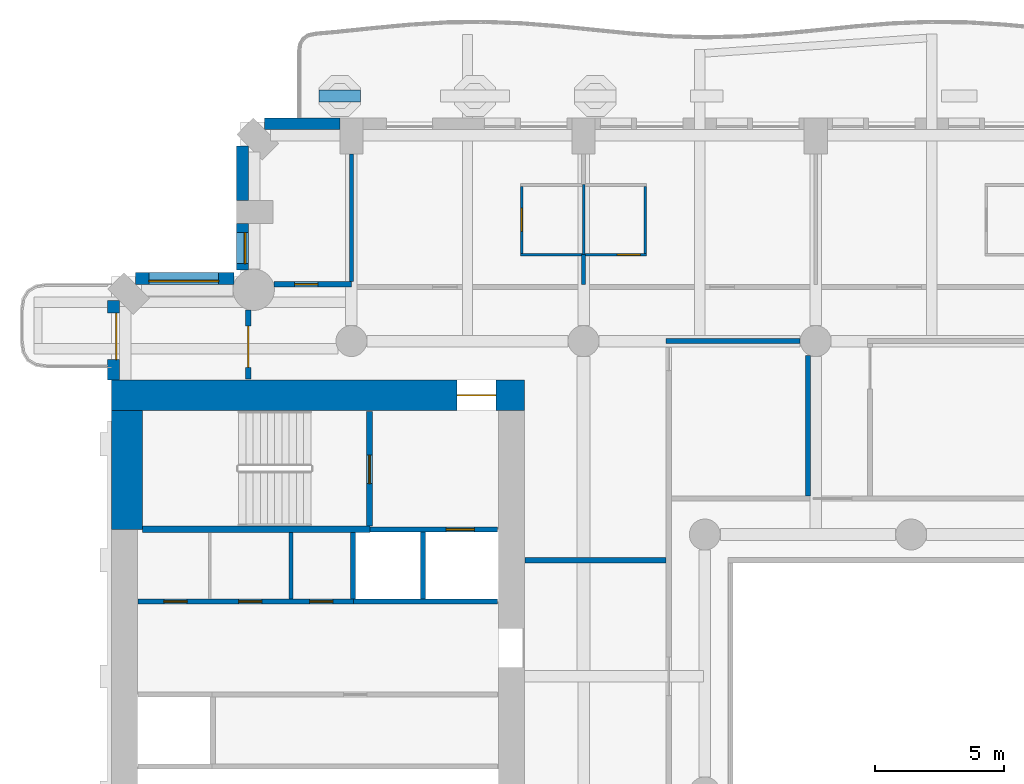
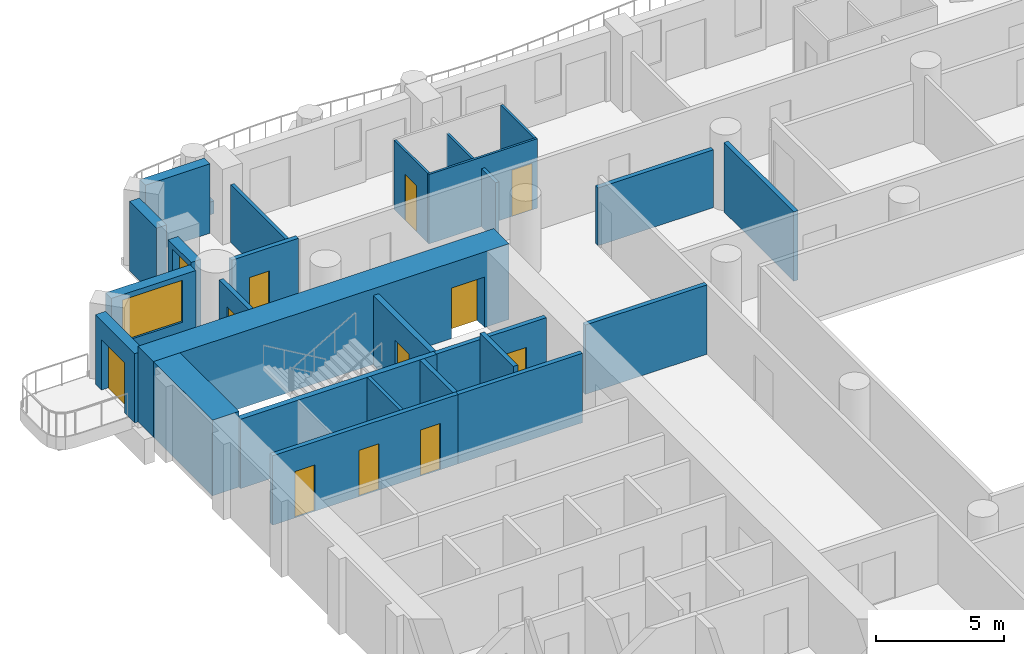
# One storey, part 7 of 19: 27 walls, 11 doors, 2 windows, 13 openings.
"""IFC4 building model written with IfcOpenShell, lengths in metres."""

from ifc_helpers import new_model, si_unit, direction, frame, frame_2d, origin, place, context, subcontext, project, spatial, rectangle, extrude, material, layer, layer_set, type_object, element, fill, save


model = new_model("IFC4")

# Units and contexts
model_context = context("Model", 3, precision=1e-05, world=origin(), true_north=direction((0.0, 1.0)))
body_context = subcontext(model_context, "Body", "Model", "MODEL_VIEW")
ifc_project = project(units=[si_unit("LENGTHUNIT", "METRE"), si_unit("AREAUNIT", "SQUARE_METRE"), si_unit("VOLUMEUNIT", "CUBIC_METRE"), si_unit("PLANEANGLEUNIT", "RADIAN"), si_unit("MASSUNIT", "GRAM", prefix="KILO")], contexts=[model_context])

# Site, building, storey
site_placement = place(None, origin())
site = spatial("IfcSite", under=ifc_project, at=site_placement, CompositionType="ELEMENT")
building_placement = place(site_placement, origin())
building = spatial("IfcBuilding", under=site, at=building_placement, Name="Cypress Arch Tower", CompositionType="ELEMENT")
storey_placement = place(building_placement, frame((0.0, 0.0, 66.300048828125)))
storey = spatial("IfcBuildingStorey", under=building, at=storey_placement, Name="L10", CompositionType="ELEMENT", Elevation=66.300048828125)

# Wall
ifc_material_1 = material(Name="Concrete C40/50, waterproofed", Category="concrete")
ifc_layer_1 = layer(ifc_material_1, 0.449951171875)
ifc_layer_set_1 = layer_set([ifc_layer_1], Name="Balcony planter wall PW450")
wall_type_1 = type_object("IfcWallType", Name="Balcony planter wall PW450", PredefinedType="SOLIDWALL", material=ifc_layer_set_1)
wall_1_placement = place(storey_placement, frame((-20.35009765625, 27.0, 0.0), z_axis=(0.0, 0.0, 1.0), x_axis=(-1.0, 0.0, 0.0)))
element("IfcWall", 1, at=wall_1_placement, inside=storey, type_object=wall_type_1, Name="Balcony planter wall L10-A08.6", PredefinedType="SOLIDWALL", context=body_context, shape_type="SweptSolid", body=[
    extrude(rectangle(XDim=1.599853515625, YDim=0.449951171875, at=frame_2d((0.7998046875, 0.0))), origin(), (0.0, 0.0, 1.0), 0.599853515625),
])

# Wall, opening, door
ifc_material_2 = material(Name="Brick (red buff blend)", Category="masonry")
ifc_layer_2 = layer(ifc_material_2, 0.449951171875)
ifc_layer_set_2 = layer_set([ifc_layer_2], Name="Brick pier and spandrel wall BW450")
wall_type_2 = type_object("IfcWallType", Name="Brick pier and spandrel wall BW450", PredefinedType="SOLIDWALL", material=ifc_layer_set_2)
wall_2_placement = place(storey_placement, frame((-29.925048828125, 19.063720703125, 0.0), z_axis=(0.0, 0.0, 1.0), x_axis=(0.0, -1.0, 0.0)))
wall_2 = element("IfcWall", 2, at=wall_2_placement, inside=storey, type_object=wall_type_2, Name="Brick wall L10 A00.0", PredefinedType="SOLIDWALL", context=body_context, shape_type="SweptSolid", body=[
    extrude(rectangle(XDim=3.063720703125, YDim=0.449951171875, at=frame_2d((1.53173828125, 0.0))), origin(), (0.0, 0.0, 1.0), 3.300048828125),
])
opening_1_placement = place(wall_2_placement, frame((0.481689453125, 0.0, 0.0)))
opening_1 = element("IfcOpeningElement", 3, at=opening_1_placement, cuts=wall_2, Name="Opening D-L10-A00.0.1", PredefinedType="OPENING", context=body_context, shape_type="SweptSolid", body=[
    extrude(rectangle(XDim=1.800048828125, YDim=2.39990234375, at=frame_2d((0.89990234375, 1.199951171875))), frame((0.0, 0.23486328125, 0.0), z_axis=(0.0, -1.0, 0.0), x_axis=(1.0, 0.0, 0.0)), (0.0, 0.0, 1.0), 0.469970703125),
])
ifc_material_3 = material(Name="Anodised aluminium, bronze finish, laminated low-emissivity double glazing, large-missile impact rated", Category="aluminium")
door_type_1 = type_object("IfcDoorType", Name="Balcony sliding door 1800x2400", OperationType="SLIDING_TO_LEFT", PredefinedType="DOOR", material=ifc_material_3)
door_1_placement = place(opening_1_placement, origin())
door_1 = element("IfcDoor", 4, at=door_1_placement, inside=storey, type_object=door_type_1, Name="Balcony door L10 A00.0.1", OperationType="SLIDING_TO_LEFT", OverallHeight=2.39990234375, OverallWidth=1.800048828125, PredefinedType="DOOR", context=body_context, shape_type="SweptSolid", body=[
    extrude(rectangle(XDim=1.800048828125, YDim=2.39990234375, at=frame_2d((0.89990234375, 1.199951171875))), frame((0.0, 0.1298828125, 0.0), z_axis=(0.0, -1.0, 0.0), x_axis=(1.0, 0.0, 0.0)), (0.0, 0.0, 1.0), 0.050048828125),
])
fill(opening_1, door_1)

# Walls
wall_3_placement = place(storey_placement, frame((-21.14990234375, 25.925048828125, 0.0), z_axis=(0.0, 0.0, 1.0), x_axis=(-1.0, 0.0, 0.0)))
element("IfcWall", 5, at=wall_3_placement, inside=storey, type_object=wall_type_2, Name="Brick wall L10 A08.4", PredefinedType="SOLIDWALL", context=body_context, shape_type="SweptSolid", body=[
    extrude(rectangle(XDim=2.913818359375, YDim=0.449951171875, at=frame_2d((1.45703125, 0.0))), origin(), (0.0, 0.0, 1.0), 3.300048828125),
])
wall_4_placement = place(storey_placement, frame((-24.925048828125, 25.063720703125, 0.0), z_axis=(0.0, 0.0, 1.0), x_axis=(0.0, -1.0, 0.0)))
element("IfcWall", 6, at=wall_4_placement, inside=storey, type_object=wall_type_2, Name="Brick wall L10 A09.0", PredefinedType="SOLIDWALL", context=body_context, shape_type="SweptSolid", body=[
    extrude(rectangle(XDim=2.11376953125, YDim=0.449951171875, at=frame_2d((1.056884765625, 0.0))), origin(), (0.0, 0.0, 1.0), 3.300048828125),
])

# Wall, opening, window
wall_5_placement = place(storey_placement, frame((-24.925048828125, 22.050048828125, 0.0), z_axis=(0.0, 0.0, 1.0), x_axis=(0.0, -1.0, 0.0)))
wall_5 = element("IfcWall", 7, at=wall_5_placement, inside=storey, type_object=wall_type_2, Name="Brick wall L10 A09.1", PredefinedType="SOLIDWALL", context=body_context, shape_type="SweptSolid", body=[
    extrude(rectangle(XDim=1.79150390625, YDim=0.449951171875, at=frame_2d((0.895751953125, 0.0))), origin(), (0.0, 0.0, 1.0), 3.300048828125),
])
opening_2_placement = place(wall_5_placement, frame((0.35009765625, 0.0, 1.050048828125)))
opening_2 = element("IfcOpeningElement", 8, at=opening_2_placement, cuts=wall_5, Name="Opening W120H", PredefinedType="OPENING", context=body_context, shape_type="SweptSolid", body=[
    extrude(rectangle(XDim=1.199951171875, YDim=2.0, at=frame_2d((0.60009765625, 1.0))), frame((0.0, 0.23486328125, 0.0), z_axis=(0.0, -1.0, 0.0), x_axis=(1.0, 0.0, 0.0)), (0.0, 0.0, 1.0), 0.469970703125),
])
ifc_material_4 = material(Name="Anodised aluminium, bronze finish, clear low-emissivity double glazing", Category="aluminium")
window_type_1 = type_object("IfcWindowType", Name="Window Hotel 1200x2000", PartitioningType="SINGLE_PANEL", PredefinedType="WINDOW", material=ifc_material_4)
window_1_placement = place(opening_2_placement, origin())
window_1 = element("IfcWindow", 9, at=window_1_placement, inside=storey, type_object=window_type_1, Name="Window L10 A09.1.1", OverallHeight=2.0, OverallWidth=1.199951171875, PartitioningType="SINGLE_PANEL", PredefinedType="WINDOW", context=body_context, shape_type="SweptSolid", body=[
    extrude(rectangle(XDim=1.199951171875, YDim=2.0, at=frame_2d((0.60009765625, 1.0))), frame((0.0, 0.135009765625, 0.0), z_axis=(0.0, -1.0, 0.0), x_axis=(1.0, 0.0, 0.0)), (0.0, 0.0, 1.0), 0.06005859375),
])
fill(opening_2, window_1)

wall_6_placement = place(storey_placement, frame((-25.258544921875, 19.925048828125, 0.0), z_axis=(0.0, 0.0, 1.0), x_axis=(-1.0, 0.0, 0.0)))
wall_6 = element("IfcWall", 10, at=wall_6_placement, inside=storey, type_object=wall_type_2, Name="Brick wall L10 A10.0", PredefinedType="SOLIDWALL", context=body_context, shape_type="SweptSolid", body=[
    extrude(rectangle(XDim=3.80517578125, YDim=0.449951171875, at=frame_2d((1.902587890625, 0.0))), origin(), (0.0, 0.0, 1.0), 3.300048828125),
])
opening_3_placement = place(wall_6_placement, frame((0.591552734375, 0.0, 1.050048828125)))
opening_3 = element("IfcOpeningElement", 11, at=opening_3_placement, cuts=wall_6, Name="Opening W270H", PredefinedType="OPENING", context=body_context, shape_type="SweptSolid", body=[
    extrude(rectangle(XDim=2.699951171875, YDim=2.0, at=frame_2d((1.35009765625, 1.0))), frame((0.0, 0.23486328125, 0.0), z_axis=(0.0, -1.0, 0.0), x_axis=(1.0, 0.0, 0.0)), (0.0, 0.0, 1.0), 0.469970703125),
])
ifc_material_5 = material(Name="Anodised aluminium, bronze finish, clear low-emissivity double glazing", Category="aluminium")
window_type_2 = type_object("IfcWindowType", Name="Window Hotel 2700x2000", PartitioningType="SINGLE_PANEL", PredefinedType="WINDOW", material=ifc_material_5)
window_2_placement = place(opening_3_placement, origin())
window_2 = element("IfcWindow", 12, at=window_2_placement, inside=storey, type_object=window_type_2, Name="Window L10 A10.0.1", OverallHeight=2.0, OverallWidth=2.699951171875, PartitioningType="SINGLE_PANEL", PredefinedType="WINDOW", context=body_context, shape_type="SweptSolid", body=[
    extrude(rectangle(XDim=2.699951171875, YDim=2.0, at=frame_2d((1.35009765625, 1.0))), frame((0.0, 0.135009765625, 0.0), z_axis=(0.0, -1.0, 0.0), x_axis=(1.0, 0.0, 0.0)), (0.0, 0.0, 1.0), 0.06005859375),
])
fill(opening_3, window_2)

# Wall, opening, door
ifc_material_6 = material(Name="Concrete C80/95", Category="concrete")
ifc_layer_3 = layer(ifc_material_6, 1.199951171875)
ifc_layer_set_3 = layer_set([ifc_layer_3], Name="Core wall CW1200 C80/95")
wall_type_3 = type_object("IfcWallType", Name="Core wall CW1200 C80/95", PredefinedType="SHEAR", material=ifc_layer_set_3)
wall_7_placement = place(storey_placement, frame((-30.0, 15.39990234375, 0.0), z_axis=(0.0, 0.0, 1.0), x_axis=(1.0, 0.0, 0.0)))
wall_7 = element("IfcWall", 13, at=wall_7_placement, inside=storey, type_object=wall_type_3, Name="Core wall", PredefinedType="SHEAR", context=body_context, shape_type="SweptSolid", body=[
    extrude(rectangle(XDim=16.0, YDim=1.199951171875, at=frame_2d((8.0, 0.0))), origin(), (0.0, 0.0, 1.0), 3.599853515625),
])
opening_4_placement = place(wall_7_placement, frame((13.39990234375, 0.0, 0.0)))
opening_4 = element("IfcOpeningElement", 14, at=opening_4_placement, cuts=wall_7, Name="Opening D07", PredefinedType="OPENING", context=body_context, shape_type="SweptSolid", body=[
    extrude(rectangle(XDim=1.5, YDim=2.39990234375, at=frame_2d((0.75, 1.199951171875))), frame((0.0, 0.60986328125, 0.0), z_axis=(0.0, -1.0, 0.0), x_axis=(1.0, 0.0, 0.0)), (0.0, 0.0, 1.0), 1.219970703125),
])
ifc_material_7 = material(Name="Steel framed glazed door, fire resisting", Category="steel")
door_type_2 = type_object("IfcDoorType", Name="Lobby door D07 1500x2400", OperationType="DOUBLE_DOOR_SINGLE_SWING", PredefinedType="DOOR", material=ifc_material_7)
door_2_placement = place(opening_4_placement, origin())
door_2 = element("IfcDoor", 15, at=door_2_placement, inside=storey, type_object=door_type_2, Name="Lobby door", OperationType="DOUBLE_DOOR_SINGLE_SWING", OverallHeight=2.39990234375, OverallWidth=1.5, PredefinedType="DOOR", context=body_context, shape_type="SweptSolid", body=[
    extrude(rectangle(XDim=1.5, YDim=2.39990234375, at=frame_2d((0.75, 1.199951171875))), frame((0.0, 0.02490234375, 0.0), z_axis=(0.0, -1.0, 0.0), x_axis=(1.0, 0.0, 0.0)), (0.0, 0.0, 1.0), 0.050048828125),
])
fill(opening_4, door_2)

# Wall
wall_8_placement = place(storey_placement, frame((-29.39990234375, 10.199951171875, 0.0), z_axis=(0.0, 0.0, 1.0), x_axis=(0.0, 1.0, 0.0)))
element("IfcWall", 16, at=wall_8_placement, inside=storey, type_object=wall_type_3, Name="Core wall", PredefinedType="SHEAR", context=body_context, shape_type="SweptSolid", body=[
    extrude(rectangle(XDim=4.60009765625, YDim=1.199951171875, at=frame_2d((2.300048828125, 0.0))), origin(), (0.0, 0.0, 1.0), 3.599853515625),
])

# Wall, openings, doors
ifc_material_8 = material(Name="Concrete blockwork, plastered, rated", Category="masonry")
ifc_layer_4 = layer(ifc_material_8, 0.199951171875)
ifc_layer_set_4 = layer_set([ifc_layer_4], Name="Corridor wall FW200")
wall_type_4 = type_object("IfcWallType", Name="Corridor wall FW200", PredefinedType="PARTITIONING", material=ifc_layer_set_4)
wall_9_placement = place(storey_placement, frame((-28.969970703125, 7.39990234375, 0.0), z_axis=(0.0, 0.0, 1.0), x_axis=(1.0, 0.0, 0.0)))
wall_9 = element("IfcWall", 17, at=wall_9_placement, inside=storey, type_object=wall_type_4, Name="Corridor wall", PredefinedType="PARTITIONING", context=body_context, shape_type="SweptSolid", body=[
    extrude(rectangle(XDim=8.349853515625, YDim=0.199951171875, at=frame_2d((4.1748046875, 0.0))), origin(), (0.0, 0.0, 1.0), 3.300048828125),
])
opening_5_placement = place(wall_9_placement, frame((1.0, 0.0, 0.0)))
opening_5 = element("IfcOpeningElement", 18, at=opening_5_placement, cuts=wall_9, Name="Opening D05", PredefinedType="OPENING", context=body_context, shape_type="SweptSolid", body=[
    extrude(rectangle(XDim=0.89990234375, YDim=2.199951171875, at=frame_2d((0.449951171875, 1.10009765625))), frame((0.0, 0.10986328125, 0.0), z_axis=(0.0, -1.0, 0.0), x_axis=(1.0, 0.0, 0.0)), (0.0, 0.0, 1.0), 0.219970703125),
])
opening_6_placement = place(wall_9_placement, frame((3.89990234375, 0.0, 0.0)))
opening_6 = element("IfcOpeningElement", 19, at=opening_6_placement, cuts=wall_9, Name="Opening D05", PredefinedType="OPENING", context=body_context, shape_type="SweptSolid", body=[
    extrude(rectangle(XDim=0.89990234375, YDim=2.199951171875, at=frame_2d((0.449951171875, 1.10009765625))), frame((0.0, 0.10986328125, 0.0), z_axis=(0.0, -1.0, 0.0), x_axis=(1.0, 0.0, 0.0)), (0.0, 0.0, 1.0), 0.219970703125),
])
opening_7_placement = place(wall_9_placement, frame((6.64990234375, 0.0, 0.0)))
opening_7 = element("IfcOpeningElement", 20, at=opening_7_placement, cuts=wall_9, Name="Opening D05", PredefinedType="OPENING", context=body_context, shape_type="SweptSolid", body=[
    extrude(rectangle(XDim=0.89990234375, YDim=2.199951171875, at=frame_2d((0.449951171875, 1.10009765625))), frame((0.0, 0.10986328125, 0.0), z_axis=(0.0, -1.0, 0.0), x_axis=(1.0, 0.0, 0.0)), (0.0, 0.0, 1.0), 0.219970703125),
])
ifc_material_9 = material(Name="Timber flush door", Category="wood")
door_type_3 = type_object("IfcDoorType", Name="Service door D05 900x2200", OperationType="SINGLE_SWING_LEFT", PredefinedType="DOOR", material=ifc_material_9)
door_3_placement = place(opening_5_placement, origin())
door_3 = element("IfcDoor", 21, at=door_3_placement, inside=storey, type_object=door_type_3, Name="Service door", OperationType="SINGLE_SWING_RIGHT", OverallHeight=2.199951171875, OverallWidth=0.89990234375, PredefinedType="DOOR", context=body_context, shape_type="SweptSolid", body=[
    extrude(rectangle(XDim=0.89990234375, YDim=2.199951171875, at=frame_2d((0.449951171875, 1.10009765625))), frame((0.0, 0.02490234375, 0.0), z_axis=(0.0, -1.0, 0.0), x_axis=(1.0, 0.0, 0.0)), (0.0, 0.0, 1.0), 0.050048828125),
])
fill(opening_5, door_3)
door_4_placement = place(opening_6_placement, origin())
door_4 = element("IfcDoor", 22, at=door_4_placement, inside=storey, type_object=door_type_3, Name="Service door", OperationType="SINGLE_SWING_RIGHT", OverallHeight=2.199951171875, OverallWidth=0.89990234375, PredefinedType="DOOR", context=body_context, shape_type="SweptSolid", body=[
    extrude(rectangle(XDim=0.89990234375, YDim=2.199951171875, at=frame_2d((0.449951171875, 1.10009765625))), frame((0.0, 0.02490234375, 0.0), z_axis=(0.0, -1.0, 0.0), x_axis=(1.0, 0.0, 0.0)), (0.0, 0.0, 1.0), 0.050048828125),
])
fill(opening_6, door_4)
door_5_placement = place(opening_7_placement, origin())
door_5 = element("IfcDoor", 23, at=door_5_placement, inside=storey, type_object=door_type_3, Name="Service door", OperationType="SINGLE_SWING_LEFT", OverallHeight=2.199951171875, OverallWidth=0.89990234375, PredefinedType="DOOR", context=body_context, shape_type="SweptSolid", body=[
    extrude(rectangle(XDim=0.89990234375, YDim=2.199951171875, at=frame_2d((0.449951171875, 1.10009765625))), frame((0.0, 0.02490234375, 0.0), z_axis=(0.0, -1.0, 0.0), x_axis=(1.0, 0.0, 0.0)), (0.0, 0.0, 1.0), 0.050048828125),
])
fill(opening_7, door_5)

# Wall, opening, door
wall_10_placement = place(storey_placement, frame((-24.699951171875, 16.030029296875, 0.0), z_axis=(0.0, 0.0, 1.0), x_axis=(0.0, 1.0, 0.0)))
wall_10 = element("IfcWall", 24, at=wall_10_placement, inside=storey, type_object=wall_type_4, Name="Corridor wall", PredefinedType="PARTITIONING", context=body_context, shape_type="SweptSolid", body=[
    extrude(rectangle(XDim=2.670166015625, YDim=0.199951171875, at=frame_2d((1.3349609375, 0.0))), origin(), (0.0, 0.0, 1.0), 3.300048828125),
])
opening_8_placement = place(wall_10_placement, frame((0.449951171875, 0.0, 0.0)))
opening_8 = element("IfcOpeningElement", 25, at=opening_8_placement, cuts=wall_10, Name="Opening D10", PredefinedType="OPENING", context=body_context, shape_type="SweptSolid", body=[
    extrude(rectangle(XDim=1.60009765625, YDim=2.39990234375, at=frame_2d((0.800048828125, 1.199951171875))), frame((0.0, 0.10986328125, 0.0), z_axis=(0.0, -1.0, 0.0), x_axis=(1.0, 0.0, 0.0)), (0.0, 0.0, 1.0), 0.219970703125),
])
ifc_material_10 = material(Name="Black aluminium glazed door", Category="aluminium")
door_type_4 = type_object("IfcDoorType", Name="Amenity door D10 1600x2400", OperationType="DOUBLE_DOOR_SINGLE_SWING", PredefinedType="DOOR", material=ifc_material_10)
door_6_placement = place(opening_8_placement, origin())
door_6 = element("IfcDoor", 26, at=door_6_placement, inside=storey, type_object=door_type_4, Name="Amenity door", OperationType="DOUBLE_DOOR_SINGLE_SWING", OverallHeight=2.39990234375, OverallWidth=1.60009765625, PredefinedType="DOOR", context=body_context, shape_type="SweptSolid", body=[
    extrude(rectangle(XDim=1.60009765625, YDim=2.39990234375, at=frame_2d((0.800048828125, 1.199951171875))), frame((0.0, 0.02490234375, 0.0), z_axis=(0.0, -1.0, 0.0), x_axis=(1.0, 0.0, 0.0)), (0.0, 0.0, 1.0), 0.050048828125),
])
fill(opening_8, door_6)

wall_11_placement = place(storey_placement, frame((-23.7001953125, 19.699951171875, 0.0), z_axis=(0.0, 0.0, 1.0), x_axis=(1.0, 0.0, 0.0)))
wall_11 = element("IfcWall", 27, at=wall_11_placement, inside=storey, type_object=wall_type_4, Name="Corridor wall", PredefinedType="PARTITIONING", context=body_context, shape_type="SweptSolid", body=[
    extrude(rectangle(XDim=3.000244140625, YDim=0.199951171875, at=frame_2d((1.5, 0.0))), origin(), (0.0, 0.0, 1.0), 3.300048828125),
])
opening_9_placement = place(wall_11_placement, frame((0.800048828125, 0.0, 0.0)))
opening_9 = element("IfcOpeningElement", 28, at=opening_9_placement, cuts=wall_11, Name="Opening D05", PredefinedType="OPENING", context=body_context, shape_type="SweptSolid", body=[
    extrude(rectangle(XDim=0.89990234375, YDim=2.199951171875, at=frame_2d((0.449951171875, 1.10009765625))), frame((0.0, 0.10986328125, 0.0), z_axis=(0.0, -1.0, 0.0), x_axis=(1.0, 0.0, 0.0)), (0.0, 0.0, 1.0), 0.219970703125),
])
door_7_placement = place(opening_9_placement, origin())
door_7 = element("IfcDoor", 29, at=door_7_placement, inside=storey, type_object=door_type_3, Name="Service door", OperationType="SINGLE_SWING_LEFT", OverallHeight=2.199951171875, OverallWidth=0.89990234375, PredefinedType="DOOR", context=body_context, shape_type="SweptSolid", body=[
    extrude(rectangle(XDim=0.89990234375, YDim=2.199951171875, at=frame_2d((0.449951171875, 1.10009765625))), frame((0.0, 0.02490234375, 0.0), z_axis=(0.0, -1.0, 0.0), x_axis=(1.0, 0.0, 0.0)), (0.0, 0.0, 1.0), 0.050048828125),
])
fill(opening_9, door_7)

# Walls
wall_12_placement = place(storey_placement, frame((-13.969970703125, 9.0, 0.0), z_axis=(0.0, 0.0, 1.0), x_axis=(1.0, 0.0, 0.0)))
element("IfcWall", 30, at=wall_12_placement, inside=storey, type_object=wall_type_4, Name="Corridor wall", PredefinedType="PARTITIONING", context=body_context, shape_type="SweptSolid", body=[
    extrude(rectangle(XDim=5.469970703125, YDim=0.199951171875, at=frame_2d((2.73486328125, 0.0))), origin(), (0.0, 0.0, 1.0), 3.300048828125),
])
wall_13_placement = place(storey_placement, frame((-8.5, 17.5, 0.0), z_axis=(0.0, 0.0, 1.0), x_axis=(1.0, 0.0, 0.0)))
element("IfcWall", 31, at=wall_13_placement, inside=storey, type_object=wall_type_4, Name="Corridor wall", PredefinedType="PARTITIONING", context=body_context, shape_type="SweptSolid", body=[
    extrude(rectangle(XDim=5.199951171875, YDim=0.199951171875, at=frame_2d((2.60009765625, 0.0))), origin(), (0.0, 0.0, 1.0), 2.75),
])
wall_14_placement = place(storey_placement, frame((-3.0, 11.5, 0.0), z_axis=(0.0, 0.0, 1.0), x_axis=(0.0, 1.0, 0.0)))
element("IfcWall", 32, at=wall_14_placement, inside=storey, type_object=wall_type_4, Name="Corridor wall", PredefinedType="PARTITIONING", context=body_context, shape_type="SweptSolid", body=[
    extrude(rectangle(XDim=5.443359375, YDim=0.199951171875, at=frame_2d((2.7216796875, 0.0))), origin(), (0.0, 0.0, 1.0), 3.300048828125),
])
ifc_material_11 = material(Name="Blockwork, plastered both sides", Category="masonry")
ifc_layer_5 = layer(ifc_material_11, 0.14990234375)
ifc_layer_set_5 = layer_set([ifc_layer_5], Name="Partition PW150")
wall_type_5 = type_object("IfcWallType", Name="Partition PW150", PredefinedType="PARTITIONING", material=ifc_layer_set_5)
wall_15_placement = place(storey_placement, frame((-23.0400390625, 7.5, 0.0), z_axis=(0.0, 0.0, 1.0), x_axis=(0.0, 1.0, 0.0)))
element("IfcWall", 33, at=wall_15_placement, inside=storey, type_object=wall_type_5, Name="Partition", PredefinedType="PARTITIONING", context=body_context, shape_type="SweptSolid", body=[
    extrude(rectangle(XDim=2.574951171875, YDim=0.14990234375, at=frame_2d((1.28759765625, 0.0))), origin(), (0.0, 0.0, 1.0), 3.300048828125),
])
wall_16_placement = place(storey_placement, frame((-20.699951171875, 19.800048828125, 0.0), z_axis=(0.0, 0.0, 1.0), x_axis=(0.0, 1.0, 0.0)))
element("IfcWall", 34, at=wall_16_placement, inside=storey, type_object=wall_type_5, Name="Partition", PredefinedType="PARTITIONING", context=body_context, shape_type="SweptSolid", body=[
    extrude(rectangle(XDim=4.949951171875, YDim=0.14990234375, at=frame_2d((2.47509765625, 0.0))), origin(), (0.0, 0.0, 1.0), 2.75),
])
wall_17_placement = place(storey_placement, frame((-11.699951171875, 19.699951171875, 0.0), z_axis=(0.0, 0.0, 1.0), x_axis=(0.0, 1.0, 0.0)))
element("IfcWall", 35, at=wall_17_placement, inside=storey, type_object=wall_type_5, Name="Partition", PredefinedType="PARTITIONING", context=body_context, shape_type="SweptSolid", body=[
    extrude(rectangle(XDim=1.150146484375, YDim=0.14990234375, at=frame_2d((0.5751953125, 0.0))), origin(), (0.0, 0.0, 1.0), 2.75),
])
ifc_material_12 = material(Name="Concrete C50/60", Category="concrete")
ifc_layer_6 = layer(ifc_material_12, 0.199951171875)
ifc_layer_set_6 = layer_set([ifc_layer_6], Name="Shaft wall SH200")
wall_type_6 = type_object("IfcWallType", Name="Shaft wall SH200", PredefinedType="SHEAR", material=ifc_layer_set_6)
wall_18_placement = place(storey_placement, frame((-20.639892578125, 7.5, 0.0), z_axis=(0.0, 0.0, 1.0), x_axis=(0.0, 1.0, 0.0)))
element("IfcWall", 36, at=wall_18_placement, inside=storey, type_object=wall_type_6, Name="Shaft wall", PredefinedType="SHEAR", context=body_context, shape_type="SweptSolid", body=[
    extrude(rectangle(XDim=2.574951171875, YDim=0.199951171875, at=frame_2d((1.28759765625, 0.0))), origin(), (0.0, 0.0, 1.0), 3.300048828125),
])
wall_19_placement = place(storey_placement, frame((-20.6201171875, 7.39990234375, 0.0), z_axis=(0.0, 0.0, 1.0), x_axis=(1.0, 0.0, 0.0)))
element("IfcWall", 37, at=wall_19_placement, inside=storey, type_object=wall_type_6, Name="Shaft wall", PredefinedType="SHEAR", context=body_context, shape_type="SweptSolid", body=[
    extrude(rectangle(XDim=5.590087890625, YDim=0.199951171875, at=frame_2d((2.794921875, 0.0))), origin(), (0.0, 0.0, 1.0), 3.300048828125),
])

# Wall, opening, door
wall_20_placement = place(storey_placement, frame((-19.97998046875, 10.199951171875, 0.0), z_axis=(0.0, 0.0, 1.0), x_axis=(1.0, 0.0, 0.0)))
wall_20 = element("IfcWall", 38, at=wall_20_placement, inside=storey, type_object=wall_type_6, Name="Shaft wall", PredefinedType="SHEAR", context=body_context, shape_type="SweptSolid", body=[
    extrude(rectangle(XDim=4.949951171875, YDim=0.199951171875, at=frame_2d((2.47509765625, 0.0))), origin(), (0.0, 0.0, 1.0), 3.300048828125),
])
opening_10_placement = place(wall_20_placement, frame((2.949951171875, 0.0, 0.0)))
opening_10 = element("IfcOpeningElement", 39, at=opening_10_placement, cuts=wall_20, Name="Opening LD-FL2", PredefinedType="OPENING", context=body_context, shape_type="SweptSolid", body=[
    extrude(rectangle(XDim=1.10009765625, YDim=2.199951171875, at=frame_2d((0.550048828125, 1.10009765625))), frame((0.0, 0.10986328125, 0.0), z_axis=(0.0, -1.0, 0.0), x_axis=(1.0, 0.0, 0.0)), (0.0, 0.0, 1.0), 0.219970703125),
])
ifc_material_13 = material(Name="Stainless steel centre-opening landing door, rated", Category="steel")
door_type_5 = type_object("IfcDoorType", Name="Lift landing door LD 1100x2200", OperationType="DOUBLE_DOOR_SLIDING", PredefinedType="DOOR", material=ifc_material_13)
door_8_placement = place(opening_10_placement, origin())
door_8 = element("IfcDoor", 40, at=door_8_placement, inside=storey, type_object=door_type_5, Name="Lift landing doors FL2", OperationType="DOUBLE_DOOR_SLIDING", OverallHeight=2.199951171875, OverallWidth=1.10009765625, PredefinedType="DOOR", context=body_context, shape_type="SweptSolid", body=[
    extrude(rectangle(XDim=1.10009765625, YDim=2.199951171875, at=frame_2d((0.550048828125, 1.10009765625))), frame((0.0, 0.02490234375, 0.0), z_axis=(0.0, -1.0, 0.0), x_axis=(1.0, 0.0, 0.0)), (0.0, 0.0, 1.0), 0.050048828125),
])
fill(opening_10, door_8)

# Walls
wall_21_placement = place(storey_placement, frame((-17.919921875, 7.5, 0.0), z_axis=(0.0, 0.0, 1.0), x_axis=(0.0, 1.0, 0.0)))
element("IfcWall", 41, at=wall_21_placement, inside=storey, type_object=wall_type_6, Name="Shaft wall", PredefinedType="SHEAR", context=body_context, shape_type="SweptSolid", body=[
    extrude(rectangle(XDim=2.60009765625, YDim=0.199951171875, at=frame_2d((1.300048828125, 0.0))), origin(), (0.0, 0.0, 1.0), 3.599853515625),
])
ifc_material_14 = material(Name="Concrete C50/60", Category="concrete")
ifc_layer_7 = layer(ifc_material_14, 0.25)
ifc_layer_set_7 = layer_set([ifc_layer_7], Name="Stair enclosure wall SW250")
wall_type_7 = type_object("IfcWallType", Name="Stair enclosure wall SW250", PredefinedType="SHEAR", material=ifc_layer_set_7)
wall_22_placement = place(storey_placement, frame((-28.81005859375, 10.199951171875, 0.0), z_axis=(0.0, 0.0, 1.0), x_axis=(1.0, 0.0, 0.0)))
element("IfcWall", 42, at=wall_22_placement, inside=storey, type_object=wall_type_7, Name="Stair enclosure wall", PredefinedType="SHEAR", context=body_context, shape_type="SweptSolid", body=[
    extrude(rectangle(XDim=8.830078125, YDim=0.25, at=frame_2d((4.4150390625, 0.0))), origin(), (0.0, 0.0, 1.0), 3.300048828125),
])

# Wall, opening, door
wall_23_placement = place(storey_placement, frame((-20.0, 10.324951171875, 0.0), z_axis=(0.0, 0.0, 1.0), x_axis=(0.0, 1.0, 0.0)))
wall_23 = element("IfcWall", 43, at=wall_23_placement, inside=storey, type_object=wall_type_7, Name="Stair enclosure wall", PredefinedType="SHEAR", context=body_context, shape_type="SweptSolid", body=[
    extrude(rectangle(XDim=4.445068359375, YDim=0.25, at=frame_2d((2.22265625, 0.0))), origin(), (0.0, 0.0, 1.0), 3.300048828125),
])
opening_11_placement = place(wall_23_placement, frame((1.64990234375, 0.0, 0.0)))
opening_11 = element("IfcOpeningElement", 44, at=opening_11_placement, cuts=wall_23, Name="Opening D06", PredefinedType="OPENING", context=body_context, shape_type="SweptSolid", body=[
    extrude(rectangle(XDim=1.10009765625, YDim=2.199951171875, at=frame_2d((0.550048828125, 1.10009765625))), frame((0.0, 0.135009765625, 0.0), z_axis=(0.0, -1.0, 0.0), x_axis=(1.0, 0.0, 0.0)), (0.0, 0.0, 1.0), 0.27001953125),
])
ifc_material_15 = material(Name="Steel door, fire resisting, panic bar", Category="steel")
door_type_6 = type_object("IfcDoorType", Name="Stair door D06 1100x2200", OperationType="SINGLE_SWING_LEFT", PredefinedType="DOOR", material=ifc_material_15)
door_9_placement = place(opening_11_placement, origin())
door_9 = element("IfcDoor", 45, at=door_9_placement, inside=storey, type_object=door_type_6, Name="Stair door", OperationType="SINGLE_SWING_LEFT", OverallHeight=2.199951171875, OverallWidth=1.10009765625, PredefinedType="DOOR", context=body_context, shape_type="SweptSolid", body=[
    extrude(rectangle(XDim=1.10009765625, YDim=2.199951171875, at=frame_2d((0.550048828125, 1.10009765625))), frame((0.0, 0.02490234375, 0.0), z_axis=(0.0, -1.0, 0.0), x_axis=(1.0, 0.0, 0.0)), (0.0, 0.0, 1.0), 0.050048828125),
])
fill(opening_11, door_9)

ifc_material_16 = material(Name="Moisture resistant board on steel studs, tiled", Category="steel")
ifc_layer_8 = layer(ifc_material_16, 0.10009765625)
ifc_layer_set_8 = layer_set([ifc_layer_8], Name="Wet wall PW100")
wall_type_8 = type_object("IfcWallType", Name="Wet wall PW100", PredefinedType="PARTITIONING", material=ifc_layer_set_8)
wall_24_placement = place(storey_placement, frame((-14.095947265625, 20.89990234375, 0.0), z_axis=(0.0, 0.0, 1.0), x_axis=(0.0, 1.0, 0.0)))
wall_24 = element("IfcWall", 46, at=wall_24_placement, inside=storey, type_object=wall_type_8, Name="Wet wall", PredefinedType="PARTITIONING", context=body_context, shape_type="SweptSolid", body=[
    extrude(rectangle(XDim=2.60009765625, YDim=0.10009765625, at=frame_2d((1.300048828125, 0.0))), origin(), (0.0, 0.0, 1.0), 3.300048828125),
])
opening_12_placement = place(wall_24_placement, frame((0.85009765625, 0.0, 0.0)))
opening_12 = element("IfcOpeningElement", 47, at=opening_12_placement, cuts=wall_24, Name="Opening D03", PredefinedType="OPENING", context=body_context, shape_type="SweptSolid", body=[
    extrude(rectangle(XDim=0.89990234375, YDim=2.199951171875, at=frame_2d((0.449951171875, 1.10009765625))), frame((0.0, 0.06005859375, 0.0), z_axis=(0.0, -1.0, 0.0), x_axis=(1.0, 0.0, 0.0)), (0.0, 0.0, 1.0), 0.1201171875),
])
ifc_material_17 = material(Name="Timber flush door, moisture resistant", Category="wood")
door_type_7 = type_object("IfcDoorType", Name="Bathroom door D03 900x2200", OperationType="SINGLE_SWING_LEFT", PredefinedType="DOOR", material=ifc_material_17)
door_10_placement = place(opening_12_placement, origin())
door_10 = element("IfcDoor", 48, at=door_10_placement, inside=storey, type_object=door_type_7, Name="Bathroom door", OperationType="SINGLE_SWING_RIGHT", OverallHeight=2.199951171875, OverallWidth=0.89990234375, PredefinedType="DOOR", context=body_context, shape_type="SweptSolid", body=[
    extrude(rectangle(XDim=0.89990234375, YDim=2.199951171875, at=frame_2d((0.449951171875, 1.10009765625))), frame((0.0, 0.02490234375, 0.0), z_axis=(0.0, -1.0, 0.0), x_axis=(1.0, 0.0, 0.0)), (0.0, 0.0, 1.0), 0.050048828125),
])
fill(opening_12, door_10)

wall_25_placement = place(storey_placement, frame((-14.14599609375, 20.85009765625, 0.0), z_axis=(0.0, 0.0, 1.0), x_axis=(1.0, 0.0, 0.0)))
wall_25 = element("IfcWall", 49, at=wall_25_placement, inside=storey, type_object=wall_type_8, Name="Wet wall", PredefinedType="PARTITIONING", context=body_context, shape_type="SweptSolid", body=[
    extrude(rectangle(XDim=4.89208984375, YDim=0.10009765625, at=frame_2d((2.446044921875, 0.0))), origin(), (0.0, 0.0, 1.0), 3.300048828125),
])
opening_13_placement = place(wall_25_placement, frame((3.75, 0.0, 0.0)))
opening_13 = element("IfcOpeningElement", 50, at=opening_13_placement, cuts=wall_25, Name="Opening D03", PredefinedType="OPENING", context=body_context, shape_type="SweptSolid", body=[
    extrude(rectangle(XDim=0.89990234375, YDim=2.199951171875, at=frame_2d((0.449951171875, 1.10009765625))), frame((0.0, 0.06005859375, 0.0), z_axis=(0.0, -1.0, 0.0), x_axis=(1.0, 0.0, 0.0)), (0.0, 0.0, 1.0), 0.1201171875),
])
door_11_placement = place(opening_13_placement, origin())
door_11 = element("IfcDoor", 51, at=door_11_placement, inside=storey, type_object=door_type_7, Name="Bathroom door", OperationType="SINGLE_SWING_RIGHT", OverallHeight=2.199951171875, OverallWidth=0.89990234375, PredefinedType="DOOR", context=body_context, shape_type="SweptSolid", body=[
    extrude(rectangle(XDim=0.89990234375, YDim=2.199951171875, at=frame_2d((0.449951171875, 1.10009765625))), frame((0.0, 0.02490234375, 0.0), z_axis=(0.0, -1.0, 0.0), x_axis=(1.0, 0.0, 0.0)), (0.0, 0.0, 1.0), 0.050048828125),
])
fill(opening_13, door_11)

# Walls
wall_26_placement = place(storey_placement, frame((-11.699951171875, 20.85009765625, 0.0), z_axis=(0.0, 0.0, 1.0), x_axis=(0.0, 1.0, 0.0)))
element("IfcWall", 52, at=wall_26_placement, inside=storey, type_object=wall_type_8, Name="Wet wall", PredefinedType="PARTITIONING", context=body_context, shape_type="SweptSolid", body=[
    extrude(rectangle(XDim=2.719970703125, YDim=0.10009765625, at=frame_2d((1.35986328125, 0.0))), origin(), (0.0, 0.0, 1.0), 2.75),
])
wall_27_placement = place(storey_placement, frame((-9.303955078125, 20.89990234375, 0.0), z_axis=(0.0, 0.0, 1.0), x_axis=(0.0, 1.0, 0.0)))
element("IfcWall", 53, at=wall_27_placement, inside=storey, type_object=wall_type_8, Name="Wet wall", PredefinedType="PARTITIONING", context=body_context, shape_type="SweptSolid", body=[
    extrude(rectangle(XDim=2.60009765625, YDim=0.10009765625, at=frame_2d((1.300048828125, 0.0))), origin(), (0.0, 0.0, 1.0), 3.300048828125),
])

save(model, "model.ifc")
